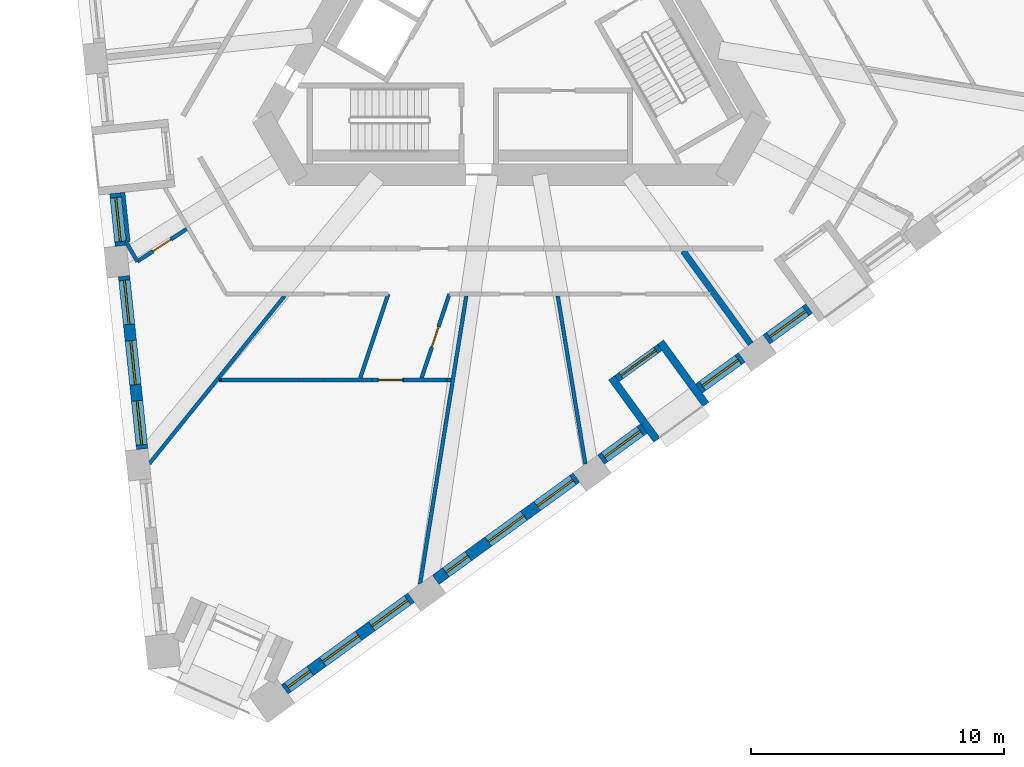
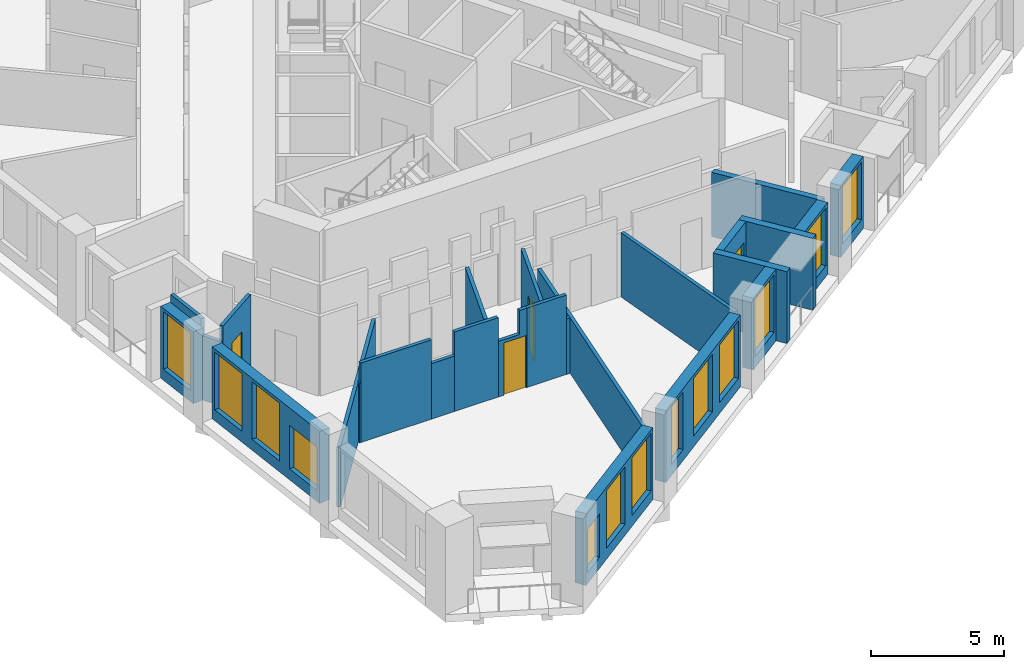
# One storey, part 2 of 14: 26 walls, 13 windows, 4 doors, 17 openings.
"""IFC4 building model written with IfcOpenShell, lengths in metres."""

from ifc_helpers import new_model, si_unit, direction, frame, frame_2d, origin, place, context, subcontext, project, spatial, polyline, rectangle, outline, extrude, material, layer, layer_set, type_object, element, fill, save


model = new_model("IFC4")

# Units and contexts
model_context = context("Model", 3, precision=1e-05, world=origin(), true_north=direction((0.0, 1.0)))
body_context = subcontext(model_context, "Body", "Model", "MODEL_VIEW")
ifc_project = project(units=[si_unit("LENGTHUNIT", "METRE"), si_unit("AREAUNIT", "SQUARE_METRE"), si_unit("VOLUMEUNIT", "CUBIC_METRE"), si_unit("PLANEANGLEUNIT", "RADIAN"), si_unit("MASSUNIT", "GRAM", prefix="KILO")], contexts=[model_context])

# Site, building, storey
site_placement = place(None, origin())
site = spatial("IfcSite", under=ifc_project, at=site_placement, CompositionType="ELEMENT")
building_placement = place(site_placement, origin())
building = spatial("IfcBuilding", under=site, at=building_placement, Name="Tramontana Tower", CompositionType="ELEMENT")
storey_placement = place(building_placement, frame((0.0, 0.0, 162.800048828125)))
storey = spatial("IfcBuildingStorey", under=building, at=storey_placement, Name="L37", CompositionType="ELEMENT", Elevation=162.800048828125)

# Wall, opening, window
ifc_material_1 = material(Name="Precast concrete 60 MPa", Category="concrete")
ifc_layer_1 = layer(ifc_material_1, 0.449951171875)
ifc_layer_set_1 = layer_set([ifc_layer_1], Name="Precast concrete 60 MPa, 450 mm")
wall_type_1 = type_object("IfcWallType", Name="EW1 Stone-faced precast wall 450", PredefinedType="SOLIDWALL", material=ifc_layer_set_1)
wall_1_placement = place(storey_placement, frame((-15.67236328125, -7.0654296875, 0.0), z_axis=(0.0, 0.0, 1.0), x_axis=(0.104557362307, -0.994518857532, 0.0)))
wall_1 = element("IfcWall", 1, at=wall_1_placement, inside=storey, type_object=wall_type_1, Name="External wall L37 face 0 bay 4", PredefinedType="SOLIDWALL", context=body_context, shape_type="SweptSolid", body=[
    extrude(rectangle(XDim=2.094482421875, YDim=0.449951171875, at=frame_2d((1.04736328125, 0.0))), origin(), (0.0, 0.0, 1.0), 3.300048828125),
])
opening_1_placement = place(wall_1_placement, frame((0.172119140625, 0.0, 0.5)))
opening_1 = element("IfcOpeningElement", 2, at=opening_1_placement, cuts=wall_1, Name="Opening M2", PredefinedType="OPENING", context=body_context, shape_type="SweptSolid", body=[
    extrude(rectangle(XDim=1.75, YDim=2.64990234375, at=frame_2d((0.875, 1.324951171875))), frame((0.0, 0.23486328125, 0.0), z_axis=(0.0, -1.0, 0.0), x_axis=(1.0, 0.0, 0.0)), (0.0, 0.0, 1.0), 0.469970703125),
])
ifc_material_2 = material(Name="Aluminum frame, double glazing unit", Category="aluminium")
window_type_1 = type_object("IfcWindowType", Name="M2 Window 1.75 x 2.65", PartitioningType="SINGLE_PANEL", PredefinedType="WINDOW", material=ifc_material_2)
window_1_placement = place(opening_1_placement, origin())
window_1 = element("IfcWindow", 3, at=window_1_placement, inside=storey, type_object=window_type_1, Name="Window M2 L37 face 0 module 12", OverallHeight=2.64990234375, OverallWidth=1.75, PartitioningType="SINGLE_PANEL", PredefinedType="WINDOW", context=body_context, shape_type="SweptSolid", body=[
    extrude(rectangle(XDim=1.75, YDim=2.64990234375, at=frame_2d((0.875, 1.324951171875))), frame((0.0, 0.030029296875, 0.0), z_axis=(0.0, -1.0, 0.0), x_axis=(1.0, 0.0, 0.0)), (0.0, 0.0, 1.0), 0.06005859375),
])
fill(opening_1, window_1)

# Wall, openings, windows
wall_2_placement = place(storey_placement, frame((-15.327880859375, -10.341796875, 0.0), z_axis=(0.0, 0.0, 1.0), x_axis=(0.104531531326, -0.994521572898, 0.0)))
wall_2 = element("IfcWall", 4, at=wall_2_placement, inside=storey, type_object=wall_type_1, Name="External wall L37 face 0 bay 5", PredefinedType="SOLIDWALL", context=body_context, shape_type="SweptSolid", body=[
    extrude(rectangle(XDim=6.8828125, YDim=0.449951171875, at=frame_2d((3.44140625, 0.0))), origin(), (0.0, 0.0, 1.0), 3.300048828125),
])
opening_2_placement = place(wall_2_placement, frame((0.172119140625, 0.0, 0.5)))
opening_2 = element("IfcOpeningElement", 5, at=opening_2_placement, cuts=wall_2, Name="Opening M2", PredefinedType="OPENING", context=body_context, shape_type="SweptSolid", body=[
    extrude(rectangle(XDim=1.75, YDim=2.64990234375, at=frame_2d((0.875, 1.324951171875))), frame((0.0, 0.23486328125, 0.0), z_axis=(0.0, -1.0, 0.0), x_axis=(1.0, 0.0, 0.0)), (0.0, 0.0, 1.0), 0.469970703125),
])
opening_3_placement = place(wall_2_placement, frame((2.56640625, 0.0, 0.5)))
opening_3 = element("IfcOpeningElement", 6, at=opening_3_placement, cuts=wall_2, Name="Opening M2", PredefinedType="OPENING", context=body_context, shape_type="SweptSolid", body=[
    extrude(rectangle(XDim=1.75, YDim=2.64990234375, at=frame_2d((0.875, 1.324951171875))), frame((0.0, 0.23486328125, 0.0), z_axis=(0.0, -1.0, 0.0), x_axis=(1.0, 0.0, 0.0)), (0.0, 0.0, 1.0), 0.469970703125),
])
opening_4_placement = place(wall_2_placement, frame((4.960693359375, 0.0, 0.5)))
opening_4 = element("IfcOpeningElement", 7, at=opening_4_placement, cuts=wall_2, Name="Opening M2L", PredefinedType="OPENING", context=body_context, shape_type="SweptSolid", body=[
    extrude(rectangle(XDim=1.75, YDim=2.0, at=frame_2d((0.875, 1.0))), frame((0.0, 0.23486328125, 0.0), z_axis=(0.0, -1.0, 0.0), x_axis=(1.0, 0.0, 0.0)), (0.0, 0.0, 1.0), 0.469970703125),
])
window_2_placement = place(opening_2_placement, origin())
window_2 = element("IfcWindow", 8, at=window_2_placement, inside=storey, type_object=window_type_1, Name="Window M2 L37 face 0 module 13", OverallHeight=2.64990234375, OverallWidth=1.75, PartitioningType="SINGLE_PANEL", PredefinedType="WINDOW", context=body_context, shape_type="SweptSolid", body=[
    extrude(rectangle(XDim=1.75, YDim=2.64990234375, at=frame_2d((0.875, 1.324951171875))), frame((0.0, 0.030029296875, 0.0), z_axis=(0.0, -1.0, 0.0), x_axis=(1.0, 0.0, 0.0)), (0.0, 0.0, 1.0), 0.06005859375),
])
fill(opening_2, window_2)
window_3_placement = place(opening_3_placement, origin())
window_3 = element("IfcWindow", 9, at=window_3_placement, inside=storey, type_object=window_type_1, Name="Window M2 L37 face 0 module 14", OverallHeight=2.64990234375, OverallWidth=1.75, PartitioningType="SINGLE_PANEL", PredefinedType="WINDOW", context=body_context, shape_type="SweptSolid", body=[
    extrude(rectangle(XDim=1.75, YDim=2.64990234375, at=frame_2d((0.875, 1.324951171875))), frame((0.0, 0.030029296875, 0.0), z_axis=(0.0, -1.0, 0.0), x_axis=(1.0, 0.0, 0.0)), (0.0, 0.0, 1.0), 0.06005859375),
])
fill(opening_3, window_3)
ifc_material_3 = material(Name="Aluminum frame, double glazing unit", Category="aluminium")
window_type_2 = type_object("IfcWindowType", Name="M2L Window 1.75 x 2", PartitioningType="SINGLE_PANEL", PredefinedType="WINDOW", material=ifc_material_3)
window_4_placement = place(opening_4_placement, origin())
window_4 = element("IfcWindow", 10, at=window_4_placement, inside=storey, type_object=window_type_2, Name="Window M2L L37 face 0 module 15", OverallHeight=2.0, OverallWidth=1.75, PartitioningType="SINGLE_PANEL", PredefinedType="WINDOW", context=body_context, shape_type="SweptSolid", body=[
    extrude(rectangle(XDim=1.75, YDim=2.0, at=frame_2d((0.875, 1.0))), frame((0.0, 0.030029296875, 0.0), z_axis=(0.0, -1.0, 0.0), x_axis=(1.0, 0.0, 0.0)), (0.0, 0.0, 1.0), 0.06005859375),
])
fill(opening_4, window_4)

wall_3_placement = place(storey_placement, frame((-8.97021484375, -26.696044921875, 0.0), z_axis=(0.0, 0.0, 1.0), x_axis=(0.809024567544, 0.587774828578, 0.0)))
wall_3 = element("IfcWall", 11, at=wall_3_placement, inside=storey, type_object=wall_type_1, Name="External wall L37 face 1 bay 1", PredefinedType="SOLIDWALL", context=body_context, shape_type="SweptSolid", body=[
    extrude(rectangle(XDim=6.1826171875, YDim=0.449951171875, at=frame_2d((3.09130859375, 0.0))), origin(), (0.0, 0.0, 1.0), 3.300048828125),
])
opening_5_placement = place(wall_3_placement, frame((0.147216796875, 0.0, 0.5)))
opening_5 = element("IfcOpeningElement", 12, at=opening_5_placement, cuts=wall_3, Name="Opening N2L", PredefinedType="OPENING", context=body_context, shape_type="SweptSolid", body=[
    extrude(rectangle(XDim=1.10009765625, YDim=2.0, at=frame_2d((0.550048828125, 1.0))), frame((0.0, 0.23486328125, 0.0), z_axis=(0.0, -1.0, 0.0), x_axis=(1.0, 0.0, 0.0)), (0.0, 0.0, 1.0), 0.469970703125),
])
opening_6_placement = place(wall_3_placement, frame((1.866455078125, 0.0, 0.5)))
opening_6 = element("IfcOpeningElement", 13, at=opening_6_placement, cuts=wall_3, Name="Opening M2", PredefinedType="OPENING", context=body_context, shape_type="SweptSolid", body=[
    extrude(rectangle(XDim=1.75, YDim=2.64990234375, at=frame_2d((0.875, 1.324951171875))), frame((0.0, 0.23486328125, 0.0), z_axis=(0.0, -1.0, 0.0), x_axis=(1.0, 0.0, 0.0)), (0.0, 0.0, 1.0), 0.469970703125),
])
opening_7_placement = place(wall_3_placement, frame((4.2607421875, 0.0, 0.5)))
opening_7 = element("IfcOpeningElement", 14, at=opening_7_placement, cuts=wall_3, Name="Opening M2", PredefinedType="OPENING", context=body_context, shape_type="SweptSolid", body=[
    extrude(rectangle(XDim=1.75, YDim=2.64990234375, at=frame_2d((0.875, 1.324951171875))), frame((0.0, 0.23486328125, 0.0), z_axis=(0.0, -1.0, 0.0), x_axis=(1.0, 0.0, 0.0)), (0.0, 0.0, 1.0), 0.469970703125),
])
window_5_placement = place(opening_6_placement, origin())
window_5 = element("IfcWindow", 15, at=window_5_placement, inside=storey, type_object=window_type_1, Name="Window M2 L37 face 1 module 2", OverallHeight=2.64990234375, OverallWidth=1.75, PartitioningType="SINGLE_PANEL", PredefinedType="WINDOW", context=body_context, shape_type="SweptSolid", body=[
    extrude(rectangle(XDim=1.75, YDim=2.64990234375, at=frame_2d((0.875, 1.324951171875))), frame((0.0, 0.030029296875, 0.0), z_axis=(0.0, -1.0, 0.0), x_axis=(1.0, 0.0, 0.0)), (0.0, 0.0, 1.0), 0.06005859375),
])
fill(opening_6, window_5)
window_6_placement = place(opening_7_placement, origin())
window_6 = element("IfcWindow", 16, at=window_6_placement, inside=storey, type_object=window_type_1, Name="Window M2 L37 face 1 module 3", OverallHeight=2.64990234375, OverallWidth=1.75, PartitioningType="SINGLE_PANEL", PredefinedType="WINDOW", context=body_context, shape_type="SweptSolid", body=[
    extrude(rectangle(XDim=1.75, YDim=2.64990234375, at=frame_2d((0.875, 1.324951171875))), frame((0.0, 0.030029296875, 0.0), z_axis=(0.0, -1.0, 0.0), x_axis=(1.0, 0.0, 0.0)), (0.0, 0.0, 1.0), 0.06005859375),
])
fill(opening_7, window_6)
ifc_material_4 = material(Name="Aluminum frame, double glazing unit", Category="aluminium")
window_type_3 = type_object("IfcWindowType", Name="N2L Window 1.1 x 2", PartitioningType="SINGLE_PANEL", PredefinedType="WINDOW", material=ifc_material_4)
window_7_placement = place(opening_5_placement, origin())
window_7 = element("IfcWindow", 17, at=window_7_placement, inside=storey, type_object=window_type_3, Name="Window N2L L37 face 1 module 1", OverallHeight=2.0, OverallWidth=1.10009765625, PartitioningType="SINGLE_PANEL", PredefinedType="WINDOW", context=body_context, shape_type="SweptSolid", body=[
    extrude(rectangle(XDim=1.10009765625, YDim=2.0, at=frame_2d((0.550048828125, 1.0))), frame((0.0, 0.030029296875, 0.0), z_axis=(0.0, -1.0, 0.0), x_axis=(1.0, 0.0, 0.0)), (0.0, 0.0, 1.0), 0.06005859375),
])
fill(opening_5, window_7)

wall_4_placement = place(storey_placement, frame((-2.997314453125, -22.3564453125, 0.0), z_axis=(0.0, 0.0, 1.0), x_axis=(0.809016690404, 0.587785670672, 0.0)))
wall_4 = element("IfcWall", 18, at=wall_4_placement, inside=storey, type_object=wall_type_1, Name="External wall L37 face 1 bay 2", PredefinedType="SOLIDWALL", context=body_context, shape_type="SweptSolid", body=[
    extrude(rectangle(XDim=6.8828125, YDim=0.449951171875, at=frame_2d((3.44140625, 0.0))), origin(), (0.0, 0.0, 1.0), 3.300048828125),
])
opening_8_placement = place(wall_4_placement, frame((0.4970703125, 0.0, 0.5)))
opening_8 = element("IfcOpeningElement", 19, at=opening_8_placement, cuts=wall_4, Name="Opening N2", PredefinedType="OPENING", context=body_context, shape_type="SweptSolid", body=[
    extrude(rectangle(XDim=1.10009765625, YDim=2.64990234375, at=frame_2d((0.550048828125, 1.324951171875))), frame((0.0, 0.23486328125, 0.0), z_axis=(0.0, -1.0, 0.0), x_axis=(1.0, 0.0, 0.0)), (0.0, 0.0, 1.0), 0.469970703125),
])
opening_9_placement = place(wall_4_placement, frame((2.56640625, 0.0, 0.5)))
opening_9 = element("IfcOpeningElement", 20, at=opening_9_placement, cuts=wall_4, Name="Opening M2", PredefinedType="OPENING", context=body_context, shape_type="SweptSolid", body=[
    extrude(rectangle(XDim=1.75, YDim=2.64990234375, at=frame_2d((0.875, 1.324951171875))), frame((0.0, 0.23486328125, 0.0), z_axis=(0.0, -1.0, 0.0), x_axis=(1.0, 0.0, 0.0)), (0.0, 0.0, 1.0), 0.469970703125),
])
opening_10_placement = place(wall_4_placement, frame((4.960693359375, 0.0, 0.5)))
opening_10 = element("IfcOpeningElement", 21, at=opening_10_placement, cuts=wall_4, Name="Opening M2", PredefinedType="OPENING", context=body_context, shape_type="SweptSolid", body=[
    extrude(rectangle(XDim=1.75, YDim=2.64990234375, at=frame_2d((0.875, 1.324951171875))), frame((0.0, 0.23486328125, 0.0), z_axis=(0.0, -1.0, 0.0), x_axis=(1.0, 0.0, 0.0)), (0.0, 0.0, 1.0), 0.469970703125),
])
window_8_placement = place(opening_9_placement, origin())
window_8 = element("IfcWindow", 22, at=window_8_placement, inside=storey, type_object=window_type_1, Name="Window M2 L37 face 1 module 5", OverallHeight=2.64990234375, OverallWidth=1.75, PartitioningType="SINGLE_PANEL", PredefinedType="WINDOW", context=body_context, shape_type="SweptSolid", body=[
    extrude(rectangle(XDim=1.75, YDim=2.64990234375, at=frame_2d((0.875, 1.324951171875))), frame((0.0, 0.030029296875, 0.0), z_axis=(0.0, -1.0, 0.0), x_axis=(1.0, 0.0, 0.0)), (0.0, 0.0, 1.0), 0.06005859375),
])
fill(opening_9, window_8)
window_9_placement = place(opening_10_placement, origin())
window_9 = element("IfcWindow", 23, at=window_9_placement, inside=storey, type_object=window_type_1, Name="Window M2 L37 face 1 module 6", OverallHeight=2.64990234375, OverallWidth=1.75, PartitioningType="SINGLE_PANEL", PredefinedType="WINDOW", context=body_context, shape_type="SweptSolid", body=[
    extrude(rectangle(XDim=1.75, YDim=2.64990234375, at=frame_2d((0.875, 1.324951171875))), frame((0.0, 0.030029296875, 0.0), z_axis=(0.0, -1.0, 0.0), x_axis=(1.0, 0.0, 0.0)), (0.0, 0.0, 1.0), 0.06005859375),
])
fill(opening_10, window_9)
ifc_material_5 = material(Name="Aluminum frame, double glazing unit", Category="aluminium")
window_type_4 = type_object("IfcWindowType", Name="N2 Window 1.1 x 2.65", PartitioningType="SINGLE_PANEL", PredefinedType="WINDOW", material=ifc_material_5)
window_10_placement = place(opening_8_placement, origin())
window_10 = element("IfcWindow", 24, at=window_10_placement, inside=storey, type_object=window_type_4, Name="Window N2 L37 face 1 module 4", OverallHeight=2.64990234375, OverallWidth=1.10009765625, PartitioningType="SINGLE_PANEL", PredefinedType="WINDOW", context=body_context, shape_type="SweptSolid", body=[
    extrude(rectangle(XDim=1.10009765625, YDim=2.64990234375, at=frame_2d((0.550048828125, 1.324951171875))), frame((0.0, 0.030029296875, 0.0), z_axis=(0.0, -1.0, 0.0), x_axis=(1.0, 0.0, 0.0)), (0.0, 0.0, 1.0), 0.06005859375),
])
fill(opening_8, window_10)

# Wall, opening, window
wall_5_placement = place(storey_placement, frame((3.541748046875, -17.60546875, 0.0), z_axis=(0.0, 0.0, 1.0), x_axis=(0.809028366311, 0.587769599847, 0.0)))
wall_5 = element("IfcWall", 25, at=wall_5_placement, inside=storey, type_object=wall_type_1, Name="External wall L37 face 1 bay 3", PredefinedType="SOLIDWALL", context=body_context, shape_type="SweptSolid", body=[
    extrude(rectangle(XDim=2.09423828125, YDim=0.449951171875, at=frame_2d((1.047119140625, 0.0))), origin(), (0.0, 0.0, 1.0), 3.300048828125),
])
opening_11_placement = place(wall_5_placement, frame((0.172119140625, 0.0, 0.5)))
opening_11 = element("IfcOpeningElement", 26, at=opening_11_placement, cuts=wall_5, Name="Opening M2", PredefinedType="OPENING", context=body_context, shape_type="SweptSolid", body=[
    extrude(rectangle(XDim=1.75, YDim=2.64990234375, at=frame_2d((0.875, 1.324951171875))), frame((0.0, 0.23486328125, 0.0), z_axis=(0.0, -1.0, 0.0), x_axis=(1.0, 0.0, 0.0)), (0.0, 0.0, 1.0), 0.469970703125),
])
window_11_placement = place(opening_11_placement, origin())
window_11 = element("IfcWindow", 27, at=window_11_placement, inside=storey, type_object=window_type_1, Name="Window M2 L37 face 1 module 7", OverallHeight=2.64990234375, OverallWidth=1.75, PartitioningType="SINGLE_PANEL", PredefinedType="WINDOW", context=body_context, shape_type="SweptSolid", body=[
    extrude(rectangle(XDim=1.75, YDim=2.64990234375, at=frame_2d((0.875, 1.324951171875))), frame((0.0, 0.030029296875, 0.0), z_axis=(0.0, -1.0, 0.0), x_axis=(1.0, 0.0, 0.0)), (0.0, 0.0, 1.0), 0.06005859375),
])
fill(opening_11, window_11)

wall_6_placement = place(storey_placement, frame((7.415771484375, -14.790771484375, 0.0), z_axis=(0.0, 0.0, 1.0), x_axis=(0.809028366311, 0.587769599847, 0.0)))
wall_6 = element("IfcWall", 28, at=wall_6_placement, inside=storey, type_object=wall_type_1, Name="External wall L37 face 1 bay 3", PredefinedType="SOLIDWALL", context=body_context, shape_type="SweptSolid", body=[
    extrude(rectangle(XDim=2.09423828125, YDim=0.449951171875, at=frame_2d((1.047119140625, 0.0))), origin(), (0.0, 0.0, 1.0), 3.300048828125),
])
opening_12_placement = place(wall_6_placement, frame((0.172119140625, 0.0, 0.5)))
opening_12 = element("IfcOpeningElement", 29, at=opening_12_placement, cuts=wall_6, Name="Opening M2", PredefinedType="OPENING", context=body_context, shape_type="SweptSolid", body=[
    extrude(rectangle(XDim=1.75, YDim=2.64990234375, at=frame_2d((0.875, 1.324951171875))), frame((0.0, 0.23486328125, 0.0), z_axis=(0.0, -1.0, 0.0), x_axis=(1.0, 0.0, 0.0)), (0.0, 0.0, 1.0), 0.469970703125),
])
window_12_placement = place(opening_12_placement, origin())
window_12 = element("IfcWindow", 30, at=window_12_placement, inside=storey, type_object=window_type_1, Name="Window M2 L37 face 1 module 9", OverallHeight=2.64990234375, OverallWidth=1.75, PartitioningType="SINGLE_PANEL", PredefinedType="WINDOW", context=body_context, shape_type="SweptSolid", body=[
    extrude(rectangle(XDim=1.75, YDim=2.64990234375, at=frame_2d((0.875, 1.324951171875))), frame((0.0, 0.030029296875, 0.0), z_axis=(0.0, -1.0, 0.0), x_axis=(1.0, 0.0, 0.0)), (0.0, 0.0, 1.0), 0.06005859375),
])
fill(opening_12, window_12)

wall_7_placement = place(storey_placement, frame((10.0810546875, -12.8544921875, 0.0), z_axis=(0.0, 0.0, 1.0), x_axis=(0.809028366311, 0.587769599847, 0.0)))
wall_7 = element("IfcWall", 31, at=wall_7_placement, inside=storey, type_object=wall_type_1, Name="External wall L37 face 1 bay 4", PredefinedType="SOLIDWALL", context=body_context, shape_type="SweptSolid", body=[
    extrude(rectangle(XDim=2.09423828125, YDim=0.449951171875, at=frame_2d((1.047119140625, 0.0))), origin(), (0.0, 0.0, 1.0), 3.300048828125),
])
opening_13_placement = place(wall_7_placement, frame((0.172119140625, 0.0, 0.5)))
opening_13 = element("IfcOpeningElement", 32, at=opening_13_placement, cuts=wall_7, Name="Opening M2", PredefinedType="OPENING", context=body_context, shape_type="SweptSolid", body=[
    extrude(rectangle(XDim=1.75, YDim=2.64990234375, at=frame_2d((0.875, 1.324951171875))), frame((0.0, 0.23486328125, 0.0), z_axis=(0.0, -1.0, 0.0), x_axis=(1.0, 0.0, 0.0)), (0.0, 0.0, 1.0), 0.469970703125),
])
window_13_placement = place(opening_13_placement, origin())
window_13 = element("IfcWindow", 33, at=window_13_placement, inside=storey, type_object=window_type_1, Name="Window M2 L37 face 1 module 10", OverallHeight=2.64990234375, OverallWidth=1.75, PartitioningType="SINGLE_PANEL", PredefinedType="WINDOW", context=body_context, shape_type="SweptSolid", body=[
    extrude(rectangle(XDim=1.75, YDim=2.64990234375, at=frame_2d((0.875, 1.324951171875))), frame((0.0, 0.030029296875, 0.0), z_axis=(0.0, -1.0, 0.0), x_axis=(1.0, 0.0, 0.0)), (0.0, 0.0, 1.0), 0.06005859375),
])
fill(opening_13, window_13)

# Wall, opening, door
ifc_material_6 = material(Name="Precast concrete 60 MPa", Category="concrete")
ifc_layer_2 = layer(ifc_material_6, 0.300048828125)
ifc_layer_set_2 = layer_set([ifc_layer_2], Name="LW1 Stone-faced loggia wall 300")
wall_type_2 = type_object("IfcWallType", Name="LW1 Stone-faced loggia wall 300", PredefinedType="SOLIDWALL", material=ifc_layer_set_2)
wall_8_placement = place(storey_placement, frame((4.1708984375, -14.398193359375, 0.0), z_axis=(0.0, 0.0, 1.0), x_axis=(0.809028366311, 0.587769599847, 0.0)))
wall_8 = element("IfcWall", 34, at=wall_8_placement, inside=storey, type_object=wall_type_2, Name="Loggia wall L37 G4S1.7", PredefinedType="SOLIDWALL", context=body_context, shape_type="SweptSolid", body=[
    extrude(rectangle(XDim=2.09423828125, YDim=0.300048828125, at=frame_2d((1.047119140625, 0.0))), origin(), (0.0, 0.0, 1.0), 3.300048828125),
])
opening_14_placement = place(wall_8_placement, frame((0.197265625, 0.0, 0.0)))
opening_14 = element("IfcOpeningElement", 35, at=opening_14_placement, cuts=wall_8, Name="Opening BD-4S1-07", PredefinedType="OPENING", context=body_context, shape_type="SweptSolid", body=[
    extrude(rectangle(XDim=1.699951171875, YDim=2.449951171875, at=frame_2d((0.85009765625, 1.22509765625))), frame((0.0, 0.159912109375, 0.0), z_axis=(0.0, -1.0, 0.0), x_axis=(1.0, 0.0, 0.0)), (0.0, 0.0, 1.0), 0.320068359375),
])
ifc_material_7 = material(Name="Aluminum frame, double glazing unit", Category="aluminium")
door_type_1 = type_object("IfcDoorType", Name="BD2 Sliding door 1.7 x 2.45", OperationType="SLIDING_TO_LEFT", PredefinedType="DOOR", material=ifc_material_7)
door_1_placement = place(opening_14_placement, origin())
door_1 = element("IfcDoor", 36, at=door_1_placement, inside=storey, type_object=door_type_1, Name="Loggia door L37 G4S1.7", OperationType="SLIDING_TO_LEFT", OverallHeight=2.449951171875, OverallWidth=1.699951171875, PredefinedType="DOOR", context=body_context, shape_type="SweptSolid", body=[
    extrude(rectangle(XDim=1.699951171875, YDim=2.449951171875, at=frame_2d((0.85009765625, 1.22509765625))), frame((0.0, 0.02490234375, 0.0), z_axis=(0.0, -1.0, 0.0), x_axis=(1.0, 0.0, 0.0)), (0.0, 0.0, 1.0), 0.050048828125),
])
fill(opening_14, door_1)

# Walls
for number, where, z_axis, x_axis, name in (
    (37, (5.754150390625, -16.83251953125, 0.0), (0.0, 0.0, 1.0), (-0.587776590479, 0.80902328748, 0.0), "Loggia return L37 G4S1.7a"),
    (38, (7.691162109375, -15.425048828125, 0.0), (0.0, 0.0, 1.0), (-0.587776590479, 0.80902328748, 0.0), "Loggia return L37 G4S1.7b"),
):
    element("IfcWall", number, at=place(storey_placement, frame(where, z_axis=z_axis, x_axis=x_axis)), inside=storey, type_object=wall_type_2, Name=name, PredefinedType="SOLIDWALL", context=body_context, shape_type="SweptSolid", body=[
        extrude(rectangle(XDim=3.050048828125, YDim=0.300048828125, at=frame_2d((1.52490234375, 0.0))), origin(), (0.0, 0.0, 1.0), 3.300048828125),
    ])
ifc_material_8 = material(Name="Gypsum board partition")
ifc_layer_3 = layer(ifc_material_8, 0.14990234375)
ifc_layer_set_3 = layer_set([ifc_layer_3], Name="PARTITION 150")
wall_type_3 = type_object("IfcWallType", Name="PARTITION 150", PredefinedType="PARTITIONING", material=ifc_layer_set_3)
wall_9_placement = place(storey_placement, frame((-15.158447265625, -8.98974609375, 0.0), z_axis=(0.0, 0.0, 1.0), x_axis=(-0.104490984784, 0.994525833802, 0.0)))
element("IfcWall", 39, at=wall_9_placement, inside=storey, type_object=wall_type_3, Name="Wall v40-pw00", PredefinedType="PARTITIONING", context=body_context, shape_type="SweptSolid", body=[
    extrude(rectangle(XDim=1.96728515625, YDim=0.14990234375, at=frame_2d((0.983642578125, 0.0))), origin(), (0.0, 0.0, 1.0), 3.64990234375),
])
wall_10_placement = place(storey_placement, frame((-14.79931640625, -9.766845703125, 0.0), z_axis=(0.0, 0.0, 1.0), x_axis=(-0.500016243463, 0.866016025414, 0.0)))
element("IfcWall", 40, at=wall_10_placement, inside=storey, type_object=wall_type_3, Name="Wall v40-pw01-0", PredefinedType="PARTITIONING", context=body_context, shape_type="SweptSolid", body=[
    extrude(rectangle(XDim=0.88720703125, YDim=0.14990234375, at=frame_2d((0.443603515625, 0.0))), origin(), (0.0, 0.0, 1.0), 2.949951171875),
])
wall_11_placement = place(storey_placement, frame((-14.322021484375, -17.76025390625, 0.0), z_axis=(0.0, 0.0, 1.0), x_axis=(0.627722219301, 0.778437419062, 0.0)))
element("IfcWall", 41, at=wall_11_placement, inside=storey, type_object=wall_type_3, Name="Wall v40-pw02-0", PredefinedType="PARTITIONING", context=body_context, shape_type="SweptSolid", body=[
    extrude(rectangle(XDim=8.52392578125, YDim=0.14990234375, at=frame_2d((4.261962890625, 0.0))), origin(), (0.0, 0.0, 1.0), 2.75),
])

# Wall, opening, door
wall_12_placement = place(storey_placement, frame((-14.79931640625, -9.766845703125, 0.0), z_axis=(0.0, 0.0, 1.0), x_axis=(0.834605551229, 0.5508480497, 0.0)))
wall_12 = element("IfcWall", 42, at=wall_12_placement, inside=storey, type_object=wall_type_3, Name="Wall v40-pw04", PredefinedType="PARTITIONING", context=body_context, shape_type="SweptSolid", body=[
    extrude(rectangle(XDim=2.3291015625, YDim=0.14990234375, at=frame_2d((1.16455078125, 0.0))), origin(), (0.0, 0.0, 1.0), 3.64990234375),
])
opening_15_placement = place(wall_12_placement, frame((0.739501953125, 0.0, 0.0)))
opening_15 = element("IfcOpeningElement", 43, at=opening_15_placement, cuts=wall_12, Name="Opening B4A-14", PredefinedType="OPENING", context=body_context, shape_type="SweptSolid", body=[
    extrude(rectangle(XDim=0.85009765625, YDim=2.39990234375, at=frame_2d((0.425048828125, 1.199951171875))), frame((0.0, 0.0849609375, 0.0), z_axis=(0.0, -1.0, 0.0), x_axis=(1.0, 0.0, 0.0)), (0.0, 0.0, 1.0), 0.169921875),
])
ifc_material_9 = material(Name="Painted timber", Category="wood")
door_type_2 = type_object("IfcDoorType", Name="DOOR BATH 850", OperationType="SINGLE_SWING_LEFT", PredefinedType="DOOR", material=ifc_material_9)
door_2_placement = place(opening_15_placement, origin())
door_2 = element("IfcDoor", 44, at=door_2_placement, inside=storey, type_object=door_type_2, Name="Door B4A-14", OperationType="SINGLE_SWING_RIGHT", OverallHeight=2.39990234375, OverallWidth=0.85009765625, PredefinedType="DOOR", context=body_context, shape_type="SweptSolid", body=[
    extrude(rectangle(XDim=0.85009765625, YDim=2.39990234375, at=frame_2d((0.425048828125, 1.199951171875))), frame((0.0, 0.02490234375, 0.0), z_axis=(0.0, -1.0, 0.0), x_axis=(1.0, 0.0, 0.0)), (0.0, 0.0, 1.0), 0.050048828125),
])
fill(opening_15, door_2)

# Wall
wall_13_placement = place(storey_placement, frame((-5.9794921875, -14.375, 0.0), z_axis=(0.0, 0.0, 1.0), x_axis=(0.314824942326, 0.94914975409, 0.0)))
element("IfcWall", 45, at=wall_13_placement, inside=storey, type_object=wall_type_3, Name="Wall v40-pw14", PredefinedType="PARTITIONING", context=body_context, shape_type="SweptSolid", body=[
    extrude(rectangle(XDim=3.4990234375, YDim=0.14990234375, at=frame_2d((1.74951171875, 0.0))), origin(), (0.0, 0.0, 1.0), 3.64990234375),
])

# Wall, opening, door
wall_14_placement = place(storey_placement, frame((-2.4541015625, -11.052001953125, 0.0), z_axis=(0.0, 0.0, 1.0), x_axis=(-0.314794041052, -0.949160003223, 0.0)))
wall_14 = element("IfcWall", 46, at=wall_14_placement, inside=storey, type_object=wall_type_3, Name="Wall v40-pw17", PredefinedType="PARTITIONING", context=body_context, shape_type="SweptSolid", body=[
    extrude(rectangle(XDim=3.576904296875, YDim=0.14990234375, at=frame_2d((1.78857421875, 0.0))), origin(), (0.0, 0.0, 1.0), 3.64990234375),
])
opening_16_placement = place(wall_14_placement, frame((1.363525390625, 0.0, 0.0)))
opening_16 = element("IfcOpeningElement", 47, at=opening_16_placement, cuts=wall_14, Name="Opening B4A-09", PredefinedType="OPENING", context=body_context, shape_type="SweptSolid", body=[
    extrude(rectangle(XDim=0.85009765625, YDim=2.39990234375, at=frame_2d((0.425048828125, 1.199951171875))), frame((0.0, 0.0849609375, 0.0), z_axis=(0.0, -1.0, 0.0), x_axis=(1.0, 0.0, 0.0)), (0.0, 0.0, 1.0), 0.169921875),
])
door_3_placement = place(opening_16_placement, origin())
door_3 = element("IfcDoor", 48, at=door_3_placement, inside=storey, type_object=door_type_2, Name="Door B4A-09", OperationType="SINGLE_SWING_LEFT", OverallHeight=2.39990234375, OverallWidth=0.85009765625, PredefinedType="DOOR", context=body_context, shape_type="SweptSolid", body=[
    extrude(rectangle(XDim=0.85009765625, YDim=2.39990234375, at=frame_2d((0.425048828125, 1.199951171875))), frame((0.0, 0.02490234375, 0.0), z_axis=(0.0, -1.0, 0.0), x_axis=(1.0, 0.0, 0.0)), (0.0, 0.0, 1.0), 0.050048828125),
])
fill(opening_16, door_3)

# Walls
wall_15_placement = place(storey_placement, frame((-2.394775390625, -14.449951171875, 0.0), z_axis=(0.0, 0.0, 1.0), x_axis=(-1.0, 0.0, 0.0)))
element("IfcWall", 49, at=wall_15_placement, inside=storey, type_object=wall_type_3, Name="Wall v40-pw18-0", PredefinedType="PARTITIONING", context=body_context, shape_type="SweptSolid", body=[
    extrude(rectangle(XDim=0.162353515625, YDim=0.14990234375, at=frame_2d((0.0810546875, 0.0))), origin(), (0.0, 0.0, 1.0), 2.550048828125),
])
wall_16_placement = place(storey_placement, frame((-2.55712890625, -14.449951171875, 0.0), z_axis=(0.0, 0.0, 1.0), x_axis=(-1.0, 0.0, 0.0)))
element("IfcWall", 50, at=wall_16_placement, inside=storey, type_object=wall_type_3, Name="Wall v40-pw18-1", PredefinedType="PARTITIONING", context=body_context, shape_type="SweptSolid", body=[
    extrude(rectangle(XDim=1.710205078125, YDim=0.14990234375, at=frame_2d((0.85498046875, 0.0))), origin(), (0.0, 0.0, 1.0), 3.64990234375),
])

# Wall, opening, door
wall_17_placement = place(storey_placement, frame((-4.267333984375, -14.449951171875, 0.0), z_axis=(0.0, 0.0, 1.0), x_axis=(-1.0, 0.0, 0.0)))
wall_17 = element("IfcWall", 51, at=wall_17_placement, inside=storey, type_object=wall_type_3, Name="Wall v40-pw18-2", PredefinedType="PARTITIONING", context=body_context, shape_type="SweptSolid", body=[
    extrude(outline(polyline([(0.0, 0.0), (1.252197265625, 0.0), (1.252197265625, 2.550048828125), (0.3251953125, 2.550048828125), (0.3251953125, 3.64990234375), (0.0, 3.64990234375), (0.0, 0.0)])), frame((0.0, 0.074951171875, 0.0), z_axis=(0.0, -1.0, 0.0), x_axis=(1.0, 0.0, 0.0)), (0.0, 0.0, 1.0), 0.14990234375),
])
opening_17_placement = place(wall_17_placement, frame((0.050048828125, 0.0, 0.0)))
opening_17 = element("IfcOpeningElement", 52, at=opening_17_placement, cuts=wall_17, Name="Opening B4A-10", PredefinedType="OPENING", context=body_context, shape_type="SweptSolid", body=[
    extrude(rectangle(XDim=0.949951171875, YDim=2.39990234375, at=frame_2d((0.47509765625, 1.199951171875))), frame((0.0, 0.0849609375, 0.0), z_axis=(0.0, -1.0, 0.0), x_axis=(1.0, 0.0, 0.0)), (0.0, 0.0, 1.0), 0.169921875),
])
ifc_material_10 = material(Name="Painted timber", Category="wood")
door_type_3 = type_object("IfcDoorType", Name="DOOR ROOM 950", OperationType="SINGLE_SWING_LEFT", PredefinedType="DOOR", material=ifc_material_10)
door_4_placement = place(opening_17_placement, origin())
door_4 = element("IfcDoor", 53, at=door_4_placement, inside=storey, type_object=door_type_3, Name="Door B4A-10", OperationType="SINGLE_SWING_RIGHT", OverallHeight=2.39990234375, OverallWidth=0.949951171875, PredefinedType="DOOR", context=body_context, shape_type="SweptSolid", body=[
    extrude(rectangle(XDim=0.949951171875, YDim=2.39990234375, at=frame_2d((0.47509765625, 1.199951171875))), frame((0.0, 0.02490234375, 0.0), z_axis=(0.0, -1.0, 0.0), x_axis=(1.0, 0.0, 0.0)), (0.0, 0.0, 1.0), 0.050048828125),
])
fill(opening_17, door_4)

# Walls
wall_18_placement = place(storey_placement, frame((-5.51953125, -14.449951171875, 0.0), z_axis=(0.0, 0.0, 1.0), x_axis=(-1.0, 0.0, 0.0)))
element("IfcWall", 54, at=wall_18_placement, inside=storey, type_object=wall_type_3, Name="Wall v40-pw18-3", PredefinedType="PARTITIONING", context=body_context, shape_type="SweptSolid", body=[
    extrude(rectangle(XDim=1.89794921875, YDim=0.14990234375, at=frame_2d((0.948974609375, 0.0))), origin(), (0.0, 0.0, 1.0), 3.64990234375),
])
wall_19_placement = place(storey_placement, frame((-7.41748046875, -14.449951171875, 0.0), z_axis=(0.0, 0.0, 1.0), x_axis=(-1.0, 0.0, 0.0)))
element("IfcWall", 55, at=wall_19_placement, inside=storey, type_object=wall_type_3, Name="Wall v40-pw18-4", PredefinedType="PARTITIONING", context=body_context, shape_type="SweptSolid", body=[
    extrude(rectangle(XDim=0.99755859375, YDim=0.14990234375, at=frame_2d((0.498779296875, 0.0))), origin(), (0.0, 0.0, 1.0), 2.550048828125),
])
wall_20_placement = place(storey_placement, frame((-8.4150390625, -14.449951171875, 0.0), z_axis=(0.0, 0.0, 1.0), x_axis=(-1.0, 0.0, 0.0)))
element("IfcWall", 56, at=wall_20_placement, inside=storey, type_object=wall_type_3, Name="Wall v40-pw18-5", PredefinedType="PARTITIONING", context=body_context, shape_type="SweptSolid", body=[
    extrude(rectangle(XDim=3.066650390625, YDim=0.14990234375, at=frame_2d((1.533203125, 0.0))), origin(), (0.0, 0.0, 1.0), 3.64990234375),
])
wall_21_placement = place(storey_placement, frame((-11.481689453125, -14.449951171875, 0.0), z_axis=(0.0, 0.0, 1.0), x_axis=(-1.0, 0.0, 0.0)))
element("IfcWall", 57, at=wall_21_placement, inside=storey, type_object=wall_type_3, Name="Wall v40-pw18-6", PredefinedType="PARTITIONING", context=body_context, shape_type="SweptSolid", body=[
    extrude(rectangle(XDim=0.07470703125, YDim=0.14990234375, at=frame_2d((0.037353515625, 0.0))), origin(), (0.0, 0.0, 1.0), 2.75),
])
wall_22_placement = place(storey_placement, frame((-1.785400390625, -11.125, 0.0), z_axis=(0.0, 0.0, 1.0), x_axis=(-0.158434092998, -0.987369555018, 0.0)))
element("IfcWall", 58, at=wall_22_placement, inside=storey, type_object=wall_type_3, Name="Wall v40-pw19-0", PredefinedType="PARTITIONING", context=body_context, shape_type="SweptSolid", body=[
    extrude(rectangle(XDim=11.5478515625, YDim=0.14990234375, at=frame_2d((5.77392578125, 0.0))), origin(), (0.0, 0.0, 1.0), 2.550048828125),
])
wall_23_placement = place(storey_placement, frame((1.830078125, -11.125, 0.0), z_axis=(0.0, 0.0, 1.0), x_axis=(0.162301772149, -0.98674116908, 0.0)))
element("IfcWall", 59, at=wall_23_placement, inside=storey, type_object=wall_type_3, Name="Wall v40-pw23-0", PredefinedType="PARTITIONING", context=body_context, shape_type="SweptSolid", body=[
    extrude(rectangle(XDim=6.740478515625, YDim=0.14990234375, at=frame_2d((3.3701171875, 0.0))), origin(), (0.0, 0.0, 1.0), 2.949951171875),
])
ifc_material_11 = material(Name="Blockwork", Category="masonry")
ifc_layer_4 = layer(ifc_material_11, 0.25)
ifc_layer_set_4 = layer_set([ifc_layer_4], Name="PARTY WALL 250")
wall_type_4 = type_object("IfcWallType", Name="PARTY WALL 250", PredefinedType="SOLIDWALL", material=ifc_layer_set_4)
wall_24_placement = place(storey_placement, frame((6.793212890625, -9.35009765625, 0.0), z_axis=(0.0, 0.0, 1.0), x_axis=(0.587797751126, -0.809007913294, 0.0)))
element("IfcWall", 60, at=wall_24_placement, inside=storey, type_object=wall_type_4, Name="Wall v40-pw26-0", PredefinedType="SOLIDWALL", context=body_context, shape_type="SweptSolid", body=[
    extrude(rectangle(XDim=4.542724609375, YDim=0.25, at=frame_2d((2.271484375, 0.0))), origin(), (0.0, 0.0, 1.0), 2.949951171875),
])

save(model, "model.ifc")
